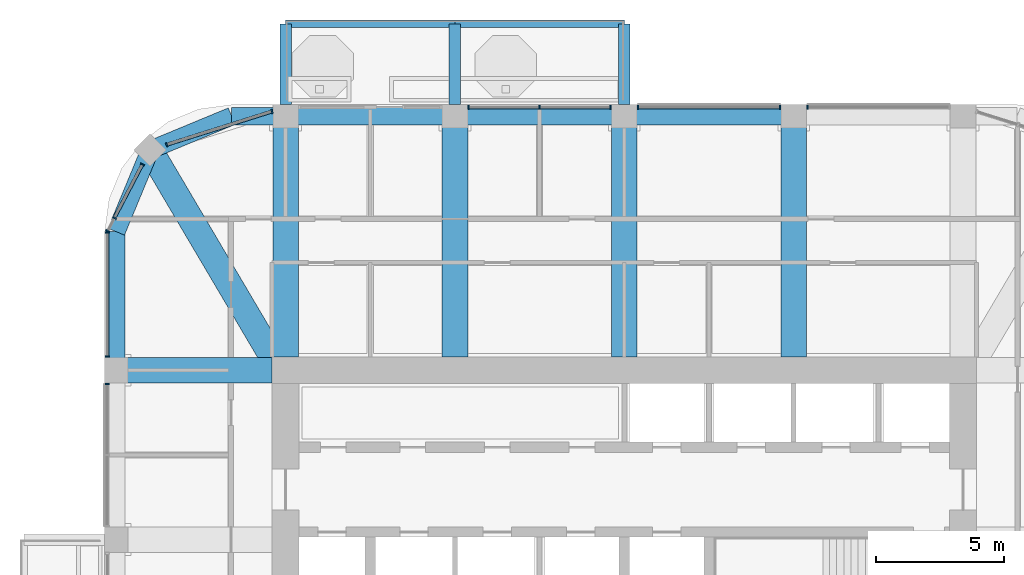
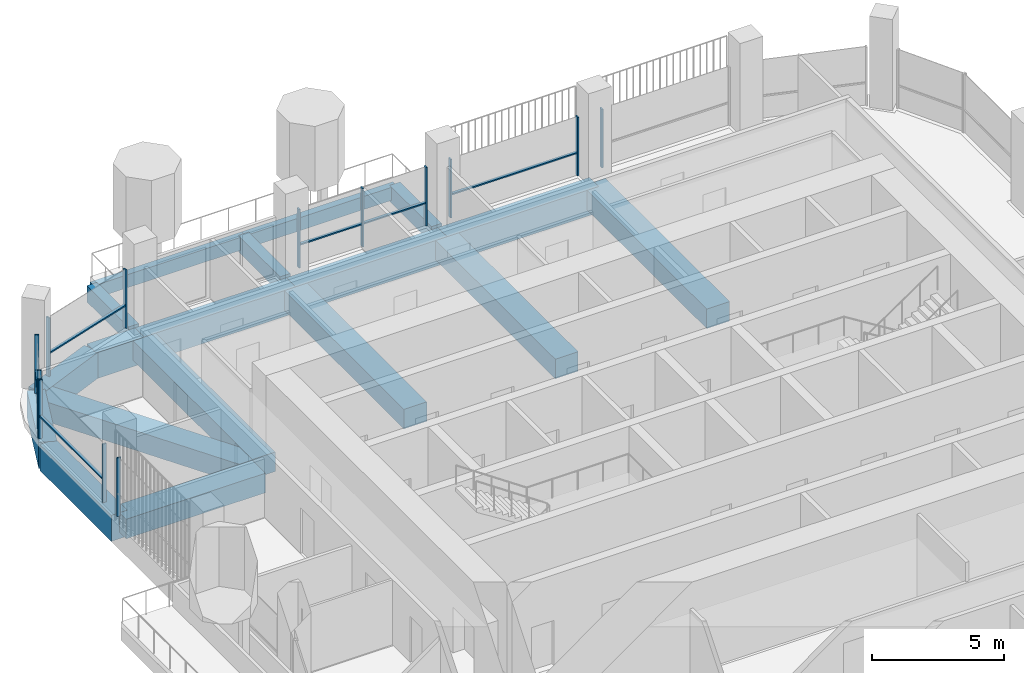
# One storey, part 5 of 18: 20 members, 18 beams, 7 elements without a shape of their own.
"""IFC4 building model written with IfcOpenShell, lengths in metres."""

from ifc_helpers import new_model, si_unit, direction, frame, origin, origin_2d, place, context, subcontext, project, spatial, rectangle, extrude, material, material_profile, profile_set, type_object, element, aggregate, save


model = new_model("IFC4")

# Units and contexts
model_context = context("Model", 3, precision=1e-05, world=origin(), true_north=direction((0.0, 1.0)))
body_context = subcontext(model_context, "Body", "Model", "MODEL_VIEW")
ifc_project = project(units=[si_unit("LENGTHUNIT", "METRE"), si_unit("AREAUNIT", "SQUARE_METRE"), si_unit("VOLUMEUNIT", "CUBIC_METRE"), si_unit("PLANEANGLEUNIT", "RADIAN"), si_unit("MASSUNIT", "GRAM", prefix="KILO")], contexts=[model_context])

# Site, building, storey
site_placement = place(None, origin())
site = spatial("IfcSite", under=ifc_project, at=site_placement, CompositionType="ELEMENT")
building_placement = place(site_placement, origin())
building = spatial("IfcBuilding", under=site, at=building_placement, Name="Cobogo Forest Laboratory Tower", CompositionType="ELEMENT")
storey_placement = place(building_placement, frame((0.0, 0.0, 271.199951171875)))
storey = spatial("IfcBuildingStorey", under=building, at=storey_placement, Name="L62", CompositionType="ELEMENT", Elevation=271.199951171875)

# Beams
ifc_material_1 = material(Name="Concrete HA-40 (C40/50)", Category="concrete")
ifc_material_profile_1 = material_profile(ifc_material_1, rectangle(XDim=0.449951171875, YDim=0.75, at=origin_2d()), Name="RC 450x750")
ifc_profile_set_1 = profile_set([ifc_material_profile_1], Name="Concrete HA-40 (C40/50)")
beam_type_1 = type_object("IfcBeamType", Name="Balcony cantilever beam 450x750", PredefinedType="BEAM", material=ifc_profile_set_1)
for number, where, z_axis, x_axis, name in (
    (1, (13.199951171875, 43.35009765625, -0.625), (0.0, 1.0, 0.0), (-1.0, 0.0, 0.0), "CB1 BAL-N1-C1 L62"),
    (2, (19.800048828125, 43.35009765625, -0.625), (0.0, 1.0, 0.0), (-1.0, 0.0, 0.0), "CB1 BAL-N1-C2 L62"),
    (3, (26.39990234375, 43.35009765625, -0.625), (0.0, 1.0, 0.0), (-1.0, 0.0, 0.0), "CB1 BAL-N1-C3 L62"),
):
    element("IfcBeam", number, at=place(storey_placement, frame(where, z_axis=z_axis, x_axis=x_axis)), inside=storey, type_object=beam_type_1, Name=name, PredefinedType="BEAM", context=body_context, shape_type="SweptSolid", body=[
        extrude(rectangle(XDim=0.449951171875, YDim=0.75, at=origin_2d()), origin(), (0.0, 0.0, 1.0), 3.14990234375),
    ])
ifc_material_profile_2 = material_profile(ifc_material_1, rectangle(XDim=0.300048828125, YDim=0.60009765625, at=origin_2d()), Name="RC 300x600")
ifc_profile_set_2 = profile_set([ifc_material_profile_2], Name="Concrete HA-40 (C40/50)")
beam_type_2 = type_object("IfcBeamType", Name="Balcony edge beam 300x600", PredefinedType="BEAM", material=ifc_profile_set_2)
beam_1_placement = place(storey_placement, frame((13.199951171875, 46.5, -0.550048828125), z_axis=(1.0, 0.0, 0.0), x_axis=(0.0, 1.0, 0.0)))
element("IfcBeam", 4, at=beam_1_placement, inside=storey, type_object=beam_type_2, Name="BB1 BAL-N1-T1 L62", PredefinedType="BEAM", context=body_context, shape_type="SweptSolid", body=[
    extrude(rectangle(XDim=0.300048828125, YDim=0.60009765625, at=origin_2d()), origin(), (0.0, 0.0, 1.0), 6.60009765625),
])
beam_2_placement = place(storey_placement, frame((19.800048828125, 46.5, -0.550048828125), z_axis=(1.0, 0.0, 0.0), x_axis=(0.0, 1.0, 0.0)))
element("IfcBeam", 5, at=beam_2_placement, inside=storey, type_object=beam_type_2, Name="BB1 BAL-N1-T2 L62", PredefinedType="BEAM", context=body_context, shape_type="SweptSolid", body=[
    extrude(rectangle(XDim=0.300048828125, YDim=0.60009765625, at=origin_2d()), origin(), (0.0, 0.0, 1.0), 6.599853515625),
])

# Curtain wall, member
ifc_material_2 = material(Name="Aluminium curtain wall", Category="aluminium")
curtain_wall_type = type_object("IfcCurtainWallType", Name="CW-2 unitised curtain wall, solar control glazing, laboratory floors zones C and D", PredefinedType="USERDEFINED", material=ifc_material_2)
curtain_wall_1_placement = place(storey_placement, origin())
curtain_wall_1 = element("IfcCurtainWall", 6, at=curtain_wall_1_placement, inside=storey, type_object=curtain_wall_type, Name="Curtain wall 14 L62", ObjectType="UNITISED CURTAIN WALL", PredefinedType="USERDEFINED")
ifc_material_3 = material(Name="Aluminium mullion", Category="aluminium")
ifc_material_profile_3 = material_profile(ifc_material_3, rectangle(XDim=0.06005859375, YDim=0.159912109375, at=origin_2d()), Name="AL 60x160")
ifc_profile_set_3 = profile_set([ifc_material_profile_3], Name="Aluminium mullion")
member_type_1 = type_object("IfcMemberType", Name="MU-1 aluminium mullion 60x160", PredefinedType="MULLION", material=ifc_profile_set_3)
member_1_placement = place(storey_placement, frame((33.530029296875, 43.25, 0.0), z_axis=(0.0, 0.0, 1.0), x_axis=(-1.0, 0.0, 0.0)))
member_1 = element("IfcMember", 7, at=member_1_placement, type_object=member_type_1, Name="CW-2 mullion 2", PredefinedType="MULLION", context=body_context, shape_type="SweptSolid", body=[
    extrude(rectangle(XDim=0.06005859375, YDim=0.159912109375, at=origin_2d()), origin(), (0.0, 0.0, 1.0), 2.699951171875),
])
aggregate(curtain_wall_1, [member_1])

# Curtain wall, members
curtain_wall_2_placement = place(storey_placement, origin())
curtain_wall_2 = element("IfcCurtainWall", 8, at=curtain_wall_2_placement, inside=storey, type_object=curtain_wall_type, Name="Curtain wall 15 L62", ObjectType="UNITISED CURTAIN WALL", PredefinedType="USERDEFINED")
member_2_placement = place(storey_placement, frame((32.469970703125, 43.25, 0.0), z_axis=(0.0, 0.0, 1.0), x_axis=(-1.0, 0.0, 0.0)))
member_2 = element("IfcMember", 9, at=member_2_placement, type_object=member_type_1, Name="CW-2 mullion 1", PredefinedType="MULLION", context=body_context, shape_type="SweptSolid", body=[
    extrude(rectangle(XDim=0.06005859375, YDim=0.159912109375, at=origin_2d()), origin(), (0.0, 0.0, 1.0), 2.699951171875),
])
member_3_placement = place(storey_placement, frame((26.929931640625, 43.25, 0.0), z_axis=(0.0, 0.0, 1.0), x_axis=(-1.0, 0.0, 0.0)))
member_3 = element("IfcMember", 10, at=member_3_placement, type_object=member_type_1, Name="CW-2 mullion 2", PredefinedType="MULLION", context=body_context, shape_type="SweptSolid", body=[
    extrude(rectangle(XDim=0.06005859375, YDim=0.159912109375, at=origin_2d()), origin(), (0.0, 0.0, 1.0), 2.699951171875),
])

curtain_wall_3_placement = place(storey_placement, origin())
curtain_wall_3 = element("IfcCurtainWall", 11, at=curtain_wall_3_placement, inside=storey, type_object=curtain_wall_type, Name="Curtain wall 16 L62", ObjectType="UNITISED CURTAIN WALL", PredefinedType="USERDEFINED")
member_4_placement = place(storey_placement, frame((25.8701171875, 43.25, 0.0), z_axis=(0.0, 0.0, 1.0), x_axis=(-1.0, 0.0, 0.0)))
member_4 = element("IfcMember", 12, at=member_4_placement, type_object=member_type_1, Name="CW-2 mullion 1", PredefinedType="MULLION", context=body_context, shape_type="SweptSolid", body=[
    extrude(rectangle(XDim=0.06005859375, YDim=0.159912109375, at=origin_2d()), origin(), (0.0, 0.0, 1.0), 2.699951171875),
])
member_5_placement = place(storey_placement, frame((23.10009765625, 43.25, 0.0), z_axis=(0.0, 0.0, 1.0), x_axis=(-1.0, 0.0, 0.0)))
member_5 = element("IfcMember", 13, at=member_5_placement, type_object=member_type_1, Name="CW-2 mullion 2", PredefinedType="MULLION", context=body_context, shape_type="SweptSolid", body=[
    extrude(rectangle(XDim=0.06005859375, YDim=0.159912109375, at=origin_2d()), origin(), (0.0, 0.0, 1.0), 2.699951171875),
])
member_6_placement = place(storey_placement, frame((20.330078125, 43.25, 0.0), z_axis=(0.0, 0.0, 1.0), x_axis=(-1.0, 0.0, 0.0)))
member_6 = element("IfcMember", 14, at=member_6_placement, type_object=member_type_1, Name="CW-2 mullion 3", PredefinedType="MULLION", context=body_context, shape_type="SweptSolid", body=[
    extrude(rectangle(XDim=0.06005859375, YDim=0.159912109375, at=origin_2d()), origin(), (0.0, 0.0, 1.0), 2.699951171875),
])

curtain_wall_4_placement = place(storey_placement, origin())
curtain_wall_4 = element("IfcCurtainWall", 15, at=curtain_wall_4_placement, inside=storey, type_object=curtain_wall_type, Name="Curtain wall 18 L62", ObjectType="UNITISED CURTAIN WALL", PredefinedType="USERDEFINED")
member_7_placement = place(storey_placement, frame((12.67138671875, 43.0830078125, 0.0), z_axis=(0.0, 0.0, 1.0), x_axis=(-0.953581379409, -0.301135439371, 0.0)))
member_7 = element("IfcMember", 16, at=member_7_placement, type_object=member_type_1, Name="CW-2 mullion 1", PredefinedType="MULLION", context=body_context, shape_type="SweptSolid", body=[
    extrude(rectangle(XDim=0.06005859375, YDim=0.159912109375, at=origin_2d()), origin(), (0.0, 0.0, 1.0), 2.699951171875),
])
member_8_placement = place(storey_placement, frame((8.570068359375, 41.787841796875, 0.0), z_axis=(0.0, 0.0, 1.0), x_axis=(-0.953581379409, -0.301135439371, 0.0)))
member_8 = element("IfcMember", 17, at=member_8_placement, type_object=member_type_1, Name="CW-2 mullion 2", PredefinedType="MULLION", context=body_context, shape_type="SweptSolid", body=[
    extrude(rectangle(XDim=0.06005859375, YDim=0.159912109375, at=origin_2d()), origin(), (0.0, 0.0, 1.0), 2.699951171875),
])

curtain_wall_5_placement = place(storey_placement, origin())
curtain_wall_5 = element("IfcCurtainWall", 18, at=curtain_wall_5_placement, inside=storey, type_object=curtain_wall_type, Name="Curtain wall 19 L62", ObjectType="UNITISED CURTAIN WALL", PredefinedType="USERDEFINED")
member_9_placement = place(storey_placement, frame((7.6220703125, 41.017333984375, 0.0), z_axis=(0.0, 0.0, 1.0), x_axis=(-0.464283778337, -0.885686498245, 0.0)))
member_9 = element("IfcMember", 19, at=member_9_placement, type_object=member_type_1, Name="CW-2 mullion 1", PredefinedType="MULLION", context=body_context, shape_type="SweptSolid", body=[
    extrude(rectangle(XDim=0.06005859375, YDim=0.159912109375, at=origin_2d()), origin(), (0.0, 0.0, 1.0), 2.699951171875),
])
member_10_placement = place(storey_placement, frame((6.531494140625, 38.937255859375, 0.0), z_axis=(0.0, 0.0, 1.0), x_axis=(-0.464283778337, -0.885686498245, 0.0)))
member_10 = element("IfcMember", 20, at=member_10_placement, type_object=member_type_1, Name="CW-2 mullion 2", PredefinedType="MULLION", context=body_context, shape_type="SweptSolid", body=[
    extrude(rectangle(XDim=0.06005859375, YDim=0.159912109375, at=origin_2d()), origin(), (0.0, 0.0, 1.0), 2.699951171875),
])
member_11_placement = place(storey_placement, frame((6.263916015625, 38.426513671875, 0.0), z_axis=(0.0, 0.0, 1.0), x_axis=(-0.464283778337, -0.885686498245, 0.0)))
member_11 = element("IfcMember", 21, at=member_11_placement, type_object=member_type_1, Name="CW-2 mullion 3", PredefinedType="MULLION", context=body_context, shape_type="SweptSolid", body=[
    extrude(rectangle(XDim=0.06005859375, YDim=0.159912109375, at=origin_2d()), origin(), (0.0, 0.0, 1.0), 2.699951171875),
])

curtain_wall_6_placement = place(storey_placement, origin())
curtain_wall_6 = element("IfcCurtainWall", 22, at=curtain_wall_6_placement, inside=storey, type_object=curtain_wall_type, Name="Curtain wall 20 L62", ObjectType="UNITISED CURTAIN WALL", PredefinedType="USERDEFINED")
member_12_placement = place(storey_placement, frame((6.25, 38.3701171875, 0.0), z_axis=(0.0, 0.0, 1.0), x_axis=(0.0, -1.0, 0.0)))
member_12 = element("IfcMember", 23, at=member_12_placement, type_object=member_type_1, Name="CW-2 mullion 1", PredefinedType="MULLION", context=body_context, shape_type="SweptSolid", body=[
    extrude(rectangle(XDim=0.06005859375, YDim=0.159912109375, at=origin_2d()), origin(), (0.0, 0.0, 1.0), 2.699951171875),
])
member_13_placement = place(storey_placement, frame((6.25, 33.530029296875, 0.0), z_axis=(0.0, 0.0, 1.0), x_axis=(0.0, -1.0, 0.0)))
member_13 = element("IfcMember", 24, at=member_13_placement, type_object=member_type_1, Name="CW-2 mullion 2", PredefinedType="MULLION", context=body_context, shape_type="SweptSolid", body=[
    extrude(rectangle(XDim=0.06005859375, YDim=0.159912109375, at=origin_2d()), origin(), (0.0, 0.0, 1.0), 2.699951171875),
])

# Curtain wall, member
curtain_wall_7_placement = place(storey_placement, origin())
curtain_wall_7 = element("IfcCurtainWall", 25, at=curtain_wall_7_placement, inside=storey, type_object=curtain_wall_type, Name="Curtain wall 21 L62", ObjectType="UNITISED CURTAIN WALL", PredefinedType="USERDEFINED")
member_14_placement = place(storey_placement, frame((6.25, 32.469970703125, 0.0), z_axis=(0.0, 0.0, 1.0), x_axis=(0.0, -1.0, 0.0)))
member_14 = element("IfcMember", 26, at=member_14_placement, type_object=member_type_1, Name="CW-2 mullion 1", PredefinedType="MULLION", context=body_context, shape_type="SweptSolid", body=[
    extrude(rectangle(XDim=0.06005859375, YDim=0.159912109375, at=origin_2d()), origin(), (0.0, 0.0, 1.0), 2.699951171875),
])
aggregate(curtain_wall_7, [member_14])

# Beams
ifc_material_profile_4 = material_profile(ifc_material_1, rectangle(XDim=1.0, YDim=0.89990234375, at=origin_2d()), Name="RC 1000x900")
ifc_profile_set_4 = profile_set([ifc_material_profile_4], Name="Concrete HA-40 (C40/50)")
beam_type_3 = type_object("IfcBeamType", Name="Office floor wide beam 1000x900", PredefinedType="BEAM", material=ifc_profile_set_4)
for number, where, z_axis, x_axis, name in (
    (27, (13.199951171875, 33.52490234375, -0.75), (0.0, 1.0, 0.0), (-1.0, 0.0, 0.0), "RB2 R-3-N L62"),
    (28, (19.800048828125, 33.52490234375, -0.75), (0.0, 1.0, 0.0), (-1.0, 0.0, 0.0), "RB2 R-4-N L62"),
    (29, (26.39990234375, 33.52490234375, -0.75), (0.0, 1.0, 0.0), (-1.0, 0.0, 0.0), "RB2 R-5-N L62"),
    (30, (33.0, 33.52490234375, -0.75), (0.0, 1.0, 0.0), (-1.0, 0.0, 0.0), "RB2 R-6-N L62"),
):
    element("IfcBeam", number, at=place(storey_placement, frame(where, z_axis=z_axis, x_axis=x_axis)), inside=storey, type_object=beam_type_3, Name=name, PredefinedType="BEAM", context=body_context, shape_type="SweptSolid", body=[
        extrude(rectangle(XDim=1.0, YDim=0.89990234375, at=origin_2d()), origin(), (0.0, 0.0, 1.0), 9.375),
    ])
beam_3_placement = place(storey_placement, frame((12.675048828125, 33.0, -0.75), z_axis=(-1.0, 0.0, 0.0), x_axis=(0.0, -1.0, 0.0)))
element("IfcBeam", 31, at=beam_3_placement, inside=storey, type_object=beam_type_3, Name="RB2 R-F-W L62", PredefinedType="BEAM", context=body_context, shape_type="SweptSolid", body=[
    extrude(rectangle(XDim=1.0, YDim=0.89990234375, at=origin_2d()), origin(), (0.0, 0.0, 1.0), 6.074951171875),
])
beam_4_placement = place(storey_placement, frame((7.91796875, 41.58203125, -0.75), z_axis=(0.508416325908, -0.861111397875, 0.0), x_axis=(0.861111397875, 0.508416325908, 0.0)))
element("IfcBeam", 32, at=beam_4_placement, inside=storey, type_object=beam_type_3, Name="RB2 G-NW-D1 L62", PredefinedType="BEAM", context=body_context, shape_type="SweptSolid", body=[
    extrude(rectangle(XDim=1.0, YDim=0.89990234375, at=origin_2d()), origin(), (0.0, 0.0, 1.0), 9.356689453125),
])
ifc_material_profile_5 = material_profile(ifc_material_1, rectangle(XDim=0.699951171875, YDim=1.199951171875, at=origin_2d()), Name="RC 700x1200")
ifc_profile_set_5 = profile_set([ifc_material_profile_5], Name="Concrete HA-40 (C40/50)")
beam_type_4 = type_object("IfcBeamType", Name="Perimeter edge beam 700x1200", PredefinedType="BEAM", material=ifc_profile_set_5)
beam_5_placement = place(storey_placement, frame((13.199951171875, 42.89990234375, -0.89990234375), z_axis=(1.0, 0.0, 0.0), x_axis=(0.0, 1.0, 0.0)))
element("IfcBeam", 33, at=beam_5_placement, inside=storey, type_object=beam_type_4, Name="EB1 E-N1 L62", PredefinedType="BEAM", context=body_context, shape_type="SweptSolid", body=[
    extrude(rectangle(XDim=0.699951171875, YDim=1.199951171875, at=origin_2d()), origin(), (0.0, 0.0, 1.0), 6.60009765625),
])
beam_6_placement = place(storey_placement, frame((19.800048828125, 42.89990234375, -0.89990234375), z_axis=(1.0, 0.0, 0.0), x_axis=(0.0, 1.0, 0.0)))
element("IfcBeam", 34, at=beam_6_placement, inside=storey, type_object=beam_type_4, Name="EB1 E-N2 L62", PredefinedType="BEAM", context=body_context, shape_type="SweptSolid", body=[
    extrude(rectangle(XDim=0.699951171875, YDim=1.199951171875, at=origin_2d()), origin(), (0.0, 0.0, 1.0), 6.599853515625),
])
beam_7_placement = place(storey_placement, frame((26.39990234375, 42.89990234375, -0.89990234375), z_axis=(1.0, 0.0, 0.0), x_axis=(0.0, 1.0, 0.0)))
element("IfcBeam", 35, at=beam_7_placement, inside=storey, type_object=beam_type_4, Name="EB1 E-N3 L62", PredefinedType="BEAM", context=body_context, shape_type="SweptSolid", body=[
    extrude(rectangle(XDim=0.699951171875, YDim=1.199951171875, at=origin_2d()), origin(), (0.0, 0.0, 1.0), 6.60009765625),
])
beam_8_placement = place(storey_placement, frame((13.199951171875, 42.89990234375, -0.89990234375), z_axis=(-1.0, 0.0, 0.0), x_axis=(0.0, -1.0, 0.0)))
element("IfcBeam", 36, at=beam_8_placement, inside=storey, type_object=beam_type_4, Name="EB1 E-NWN1 L62", PredefinedType="BEAM", context=body_context, shape_type="SweptSolid", body=[
    extrude(rectangle(XDim=0.699951171875, YDim=1.199951171875, at=origin_2d()), origin(), (0.0, 0.0, 1.0), 2.099853515625),
])
beam_9_placement = place(storey_placement, frame((11.10009765625, 42.89990234375, -0.89990234375), z_axis=(-0.923901072997, -0.382631424892, 0.0), x_axis=(0.382631424892, -0.923901072997, 0.0)))
element("IfcBeam", 37, at=beam_9_placement, inside=storey, type_object=beam_type_4, Name="EB1 E-NWN2 L62", PredefinedType="BEAM", context=body_context, shape_type="SweptSolid", body=[
    extrude(rectangle(XDim=0.699951171875, YDim=1.199951171875, at=origin_2d()), origin(), (0.0, 0.0, 1.0), 3.4443359375),
])
beam_10_placement = place(storey_placement, frame((6.60009765625, 33.0, -0.89990234375), z_axis=(0.0, 1.0, 0.0), x_axis=(-1.0, 0.0, 0.0)))
element("IfcBeam", 38, at=beam_10_placement, inside=storey, type_object=beam_type_4, Name="EB1 E-NWW1 L62", PredefinedType="BEAM", context=body_context, shape_type="SweptSolid", body=[
    extrude(rectangle(XDim=0.699951171875, YDim=1.199951171875, at=origin_2d()), origin(), (0.0, 0.0, 1.0), 5.39990234375),
])
beam_11_placement = place(storey_placement, frame((6.60009765625, 38.39990234375, -0.89990234375), z_axis=(0.382631424892, 0.923901072997, 0.0), x_axis=(-0.923901072997, 0.382631424892, 0.0)))
element("IfcBeam", 39, at=beam_11_placement, inside=storey, type_object=beam_type_4, Name="EB1 E-NWW2 L62", PredefinedType="BEAM", context=body_context, shape_type="SweptSolid", body=[
    extrude(rectangle(XDim=0.699951171875, YDim=1.199951171875, at=origin_2d()), origin(), (0.0, 0.0, 1.0), 3.4443359375),
])

# Member
ifc_material_4 = material(Name="Aluminium transom", Category="aluminium")
ifc_material_profile_6 = material_profile(ifc_material_4, rectangle(XDim=0.1201171875, YDim=0.06005859375, at=origin_2d()), Name="AL 60x120")
ifc_profile_set_6 = profile_set([ifc_material_profile_6], Name="Aluminium transom")
member_type_2 = type_object("IfcMemberType", Name="TR-1 aluminium transom 60x120", PredefinedType="USERDEFINED", material=ifc_profile_set_6)
member_15_placement = place(storey_placement, frame((32.43994140625, 43.25, 1.050048828125), z_axis=(-1.0, 0.0, 0.0), x_axis=(0.0, -1.0, 0.0)))
member_15 = element("IfcMember", 40, at=member_15_placement, type_object=member_type_2, Name="CW-2 transom 1.1", ObjectType="TRANSOM", PredefinedType="USERDEFINED", context=body_context, shape_type="SweptSolid", body=[
    extrude(rectangle(XDim=0.1201171875, YDim=0.06005859375, at=origin_2d()), origin(), (0.0, 0.0, 1.0), 5.47998046875),
])

aggregate(curtain_wall_2, [member_2, member_3, member_15])

member_16_placement = place(storey_placement, frame((25.840087890625, 43.25, 1.050048828125), z_axis=(-1.0, 0.0, 0.0), x_axis=(0.0, -1.0, 0.0)))
member_16 = element("IfcMember", 41, at=member_16_placement, type_object=member_type_2, Name="CW-2 transom 1.1", ObjectType="TRANSOM", PredefinedType="USERDEFINED", context=body_context, shape_type="SweptSolid", body=[
    extrude(rectangle(XDim=0.1201171875, YDim=0.06005859375, at=origin_2d()), origin(), (0.0, 0.0, 1.0), 2.710205078125),
])

member_17_placement = place(storey_placement, frame((23.070068359375, 43.25, 1.050048828125), z_axis=(-1.0, 0.0, 0.0), x_axis=(0.0, -1.0, 0.0)))
member_17 = element("IfcMember", 42, at=member_17_placement, type_object=member_type_2, Name="CW-2 transom 2.1", ObjectType="TRANSOM", PredefinedType="USERDEFINED", context=body_context, shape_type="SweptSolid", body=[
    extrude(rectangle(XDim=0.1201171875, YDim=0.06005859375, at=origin_2d()), origin(), (0.0, 0.0, 1.0), 2.7099609375),
])

aggregate(curtain_wall_3, [member_4, member_5, member_6, member_16, member_17])

member_18_placement = place(storey_placement, frame((12.642822265625, 43.073974609375, 1.050048828125), z_axis=(-0.953583535148, -0.30112861288, 0.0), x_axis=(0.30112861288, -0.953583535148, 0.0)))
member_18 = element("IfcMember", 43, at=member_18_placement, type_object=member_type_2, Name="CW-2 transom 1.1", ObjectType="TRANSOM", PredefinedType="USERDEFINED", context=body_context, shape_type="SweptSolid", body=[
    extrude(rectangle(XDim=0.1201171875, YDim=0.06005859375, at=origin_2d()), origin(), (0.0, 0.0, 1.0), 4.240966796875),
])

aggregate(curtain_wall_4, [member_7, member_8, member_18])

member_19_placement = place(storey_placement, frame((7.608154296875, 40.99072265625, 1.050048828125), z_axis=(-0.464325829823, -0.885664453255, 0.0), x_axis=(0.885664453255, -0.464325829823, 0.0)))
member_19 = element("IfcMember", 44, at=member_19_placement, type_object=member_type_2, Name="CW-2 transom 1.1", ObjectType="TRANSOM", PredefinedType="USERDEFINED", context=body_context, shape_type="SweptSolid", body=[
    extrude(rectangle(XDim=0.1201171875, YDim=0.06005859375, at=origin_2d()), origin(), (0.0, 0.0, 1.0), 2.288818359375),
])

aggregate(curtain_wall_5, [member_9, member_10, member_11, member_19])

member_20_placement = place(storey_placement, frame((6.25, 38.340087890625, 1.050048828125), z_axis=(0.0, -1.0, 0.0), x_axis=(1.0, 0.0, 0.0)))
member_20 = element("IfcMember", 45, at=member_20_placement, type_object=member_type_2, Name="CW-2 transom 1.1", ObjectType="TRANSOM", PredefinedType="USERDEFINED", context=body_context, shape_type="SweptSolid", body=[
    extrude(rectangle(XDim=0.1201171875, YDim=0.06005859375, at=origin_2d()), origin(), (0.0, 0.0, 1.0), 4.780029296875),
])

aggregate(curtain_wall_6, [member_12, member_13, member_20])

save(model, "model.ifc")
